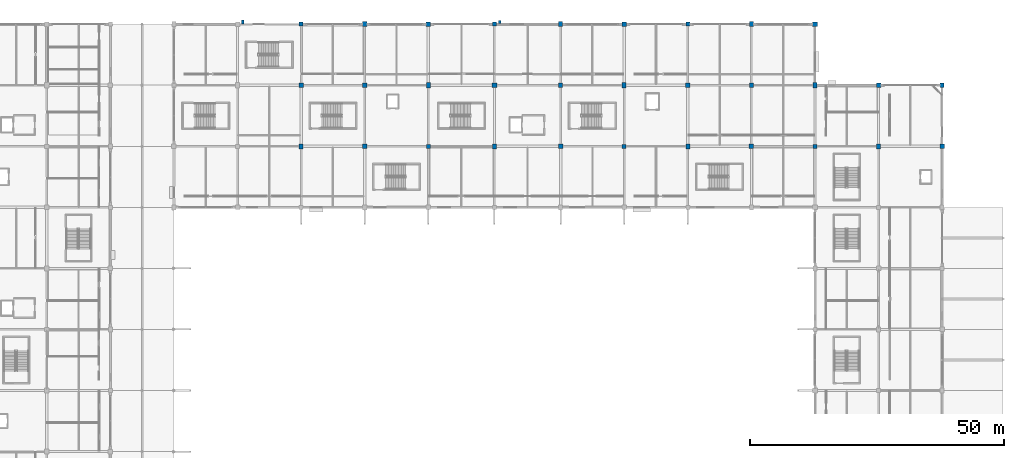
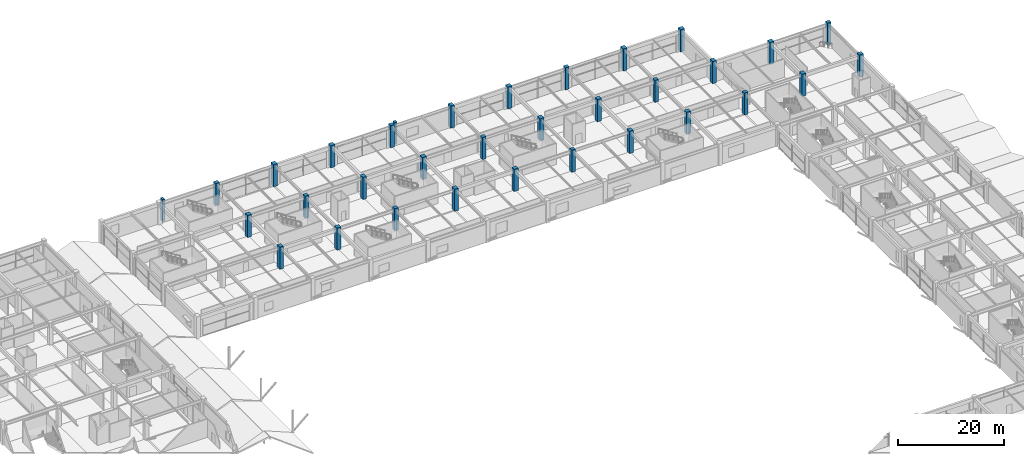
# One storey, part 8 of 116: 33 columns.
"""IFC4 building model written with IfcOpenShell, lengths in metres."""

import ifcopenshell
import ifcopenshell.guid

model = None  # the IFC model being written
_history = None  # IfcOwnerHistory: only IFC2X3 demands one
_inside = {}  # id of a spatial element -> (the spatial element, [elements in it])
_under = {}  # id of a project, library or spatial element -> (it, [spatial elements below it])
_declared = {}  # id of a project -> (the project, [libraries it declares])
_typed = {}  # id of a type object -> (the type object, [elements of that type])
_made_of = {}  # id of a material, layer set ... -> (it, [elements and type objects made of it])


def new_model(schema):
    """Start an empty IFC model of exactly this schema.

    Asked for "IFC4X3", IfcOpenShell would pick the latest addendum, in which some entities
    have other attributes; the version numbers below select the first issue.
    IFC2X3 requires an IfcOwnerHistory on every rooted entity: one is made here for all.
    """
    global model, _history
    if schema == "IFC4X3":
        model = ifcopenshell.file(schema_version=(4, 3, 0, 0))
    else:
        model = ifcopenshell.file(schema=schema)
    _inside.clear()
    _under.clear()
    _declared.clear()
    _typed.clear()
    _made_of.clear()
    _history = None
    if model.schema == "IFC2X3":
        org = make("IfcOrganization", Name="unknown")
        user = make(
            "IfcPersonAndOrganization",
            ThePerson=make("IfcPerson", FamilyName="unknown"),
            TheOrganization=org,
        )
        app = make(
            "IfcApplication",
            ApplicationDeveloper=org,
            Version="unknown",
            ApplicationFullName="unknown",
            ApplicationIdentifier="unknown",
        )
        _history = make(
            "IfcOwnerHistory",
            OwningUser=user,
            OwningApplication=app,
            ChangeAction="ADDED",
            CreationDate=0,
        )
    return model


def make(cls, **values):
    """One entity of the class cls with the attributes given. An attribute that is None is left unset."""
    return model.create_entity(
        cls, **{name: value for name, value in values.items() if value is not None}
    )


def rooted(cls, **values):
    """An entity with a GlobalId (a new one), such as an element, a storey or a relation."""
    return make(cls, GlobalId=ifcopenshell.guid.new(), OwnerHistory=_history, **values)


def si_unit(unit_type, name, prefix=None):
    """IfcSIUnit, for example si_unit("LENGTHUNIT", "METRE", prefix="MILLI")."""
    return make("IfcSIUnit", UnitType=unit_type, Prefix=prefix, Name=name)


def assignment(units):
    """IfcUnitAssignment: the units of a project."""
    return None if units is None else make("IfcUnitAssignment", Units=units)


def point(xyz):
    """IfcCartesianPoint."""
    return None if xyz is None else make("IfcCartesianPoint", Coordinates=xyz)


def direction(xyz):
    """IfcDirection."""
    return None if xyz is None else make("IfcDirection", DirectionRatios=xyz)


def frame(location, z_axis=None, x_axis=None):
    """IfcAxis2Placement3D, a coordinate frame: its origin and axes. An axis left out is left unset."""
    return make(
        "IfcAxis2Placement3D",
        Location=point(location),
        Axis=direction(z_axis),
        RefDirection=direction(x_axis),
    )


def frame_2d(location, x_axis=None):
    """IfcAxis2Placement2D, a coordinate frame in the plane: its origin and x axis."""
    return make(
        "IfcAxis2Placement2D", Location=point(location), RefDirection=direction(x_axis)
    )


def origin():
    """The frame at (0, 0, 0) with its axes left unset."""
    return frame((0.0, 0.0, 0.0))


def origin_2d():
    """The frame at (0, 0) in the plane with its x axis left unset."""
    return frame_2d((0.0, 0.0))


def place(relative_to, where):
    """IfcLocalPlacement: puts the frame where relative to a parent placement (None: the world)."""
    return make(
        "IfcLocalPlacement", PlacementRelTo=relative_to, RelativePlacement=where
    )


def context(
    kind, dimensions, precision=None, world=None, true_north=None, identifier=None
):
    """IfcGeometricRepresentationContext, for example the 3D "Model" context."""
    return make(
        "IfcGeometricRepresentationContext",
        ContextIdentifier=identifier,
        ContextType=kind,
        CoordinateSpaceDimension=dimensions,
        Precision=precision,
        WorldCoordinateSystem=world,
        TrueNorth=true_north,
    )


def subcontext(parent, identifier, kind, view, scale=None):
    """IfcGeometricRepresentationSubContext, for example "Body" below "Model"."""
    return make(
        "IfcGeometricRepresentationSubContext",
        ContextIdentifier=identifier,
        ContextType=kind,
        ParentContext=parent,
        TargetScale=scale,
        TargetView=view,
    )


def project(units=None, contexts=None):
    """IfcProject with its units and contexts."""
    return rooted(
        "IfcProject",
        Name="project",
        RepresentationContexts=contexts,
        UnitsInContext=assignment(units),
    )


def spatial(cls, under=None, at=None, **own):
    """A site, building, storey or space (cls), placed at a placement, below another one or the project."""
    s = rooted(cls, ObjectPlacement=at, **own)
    if under is not None:
        _under.setdefault(under.id(), (under, []))[1].append(s)
    return s


def profile(cls, at=None, kind="AREA", **sizes):
    """A parametric profile (cls). Its sizes go by their IFC names, for example OverallWidth=200.0."""
    return make(cls, ProfileType=kind, Position=at, **sizes)


def rectangle(**sizes):
    """IfcRectangleProfileDef."""
    return profile("IfcRectangleProfileDef", **sizes)


def extrude(swept, where, along, depth):
    """IfcExtrudedAreaSolid: the profile swept, set in the frame where, extruded along a direction by depth."""
    return make(
        "IfcExtrudedAreaSolid",
        SweptArea=swept,
        Position=where,
        ExtrudedDirection=direction(along),
        Depth=depth,
    )


def shape(context_of_items, identifier, shape_type, items):
    """IfcShapeRepresentation: the items that make up one representation, for example the "Body"."""
    return make(
        "IfcShapeRepresentation",
        ContextOfItems=context_of_items,
        RepresentationIdentifier=identifier,
        RepresentationType=shape_type,
        Items=items,
    )


def material(Name=None, Category=None):
    """IfcMaterial."""
    return make("IfcMaterial", Name=Name, Category=Category)


def material_profile(
    of_material, cross_section, Name=None, Category=None, Priority=None
):
    """IfcMaterialProfile: a cross section and its material."""
    return make(
        "IfcMaterialProfile",
        Name=Name,
        Material=of_material,
        Profile=cross_section,
        Priority=Priority,
        Category=Category,
    )


def profile_set(profiles, Name=None, composite=None):
    """IfcMaterialProfileSet."""
    return make(
        "IfcMaterialProfileSet",
        Name=Name,
        MaterialProfiles=profiles,
        CompositeProfile=composite,
    )


def made_of(thing, what):
    """Note that an element or type object is made of a material, layer set ...; save() writes the relation."""
    if what is not None:
        _made_of.setdefault(what.id(), (what, []))[1].append(thing)
    return thing


def type_object(cls, material=None, **own):
    """A type object (cls), such as IfcWallType, which elements share."""
    return made_of(rooted(cls, **own), material)


def element(
    cls,
    number,
    at=None,
    inside=None,
    cuts=None,
    type_object=None,
    material=None,
    context=None,
    identifier="Body",
    shape_type=None,
    held_by="IfcProductDefinitionShape",
    body=None,
    shapes=None,
    **own,
):
    """One element of the class cls, such as IfcWall. Its Tag is "e" and its number.

    at: its placement. inside: the storey or other place that contains it. cuts: it is an
    opening in that element (IfcRelVoidsElement). A single representation is given by context,
    identifier, shape_type and body (its items); several are given by shapes. held_by: the class
    of the entity that holds the representations. save() writes the other relations.
    """
    e = rooted(cls, Tag="e%d" % number, ObjectPlacement=at, **own)
    if body is not None:
        shapes = [shape(context, identifier, shape_type, body)]
    if shapes is not None:
        e.Representation = make(held_by, Representations=shapes)
    if inside is not None:
        _inside.setdefault(inside.id(), (inside, []))[1].append(e)
    if cuts is not None:
        rooted(
            "IfcRelVoidsElement", RelatingBuildingElement=cuts, RelatedOpeningElement=e
        )
    if type_object is not None:
        _typed.setdefault(type_object.id(), (type_object, []))[1].append(e)
    return made_of(e, material)


def aggregate(whole, parts):
    """IfcRelAggregates: a whole, such as a stair, and the parts it consists of."""
    return rooted("IfcRelAggregates", RelatingObject=whole, RelatedObjects=parts)


def save(model, path):
    """Write the relations noted so far, then the file.

    IfcRelAggregates (storeys below a building ...), IfcRelContainedInSpatialStructure (elements
    in a storey), IfcRelDefinesByType, IfcRelAssociatesMaterial and IfcRelDeclares: one each for
    every whole, place, type object, material and project.
    """
    for whole, parts in _under.values():
        aggregate(whole, parts)
    for where, things in _inside.values():
        rooted(
            "IfcRelContainedInSpatialStructure",
            RelatedElements=things,
            RelatingStructure=where,
        )
    for kind, things in _typed.values():
        rooted("IfcRelDefinesByType", RelatedObjects=things, RelatingType=kind)
    for what, things in _made_of.values():
        rooted("IfcRelAssociatesMaterial", RelatedObjects=things, RelatingMaterial=what)
    for by, libraries in _declared.values():
        rooted("IfcRelDeclares", RelatingContext=by, RelatedDefinitions=libraries)
    model.write(path)


model = new_model("IFC4")

# Units and contexts
model_context = context("Model", 3, precision=1e-05, world=origin(), true_north=direction((0.0, 1.0)))
body_context = subcontext(model_context, "Body", "Model", "MODEL_VIEW")
ifc_project = project(units=[si_unit("LENGTHUNIT", "METRE"), si_unit("AREAUNIT", "SQUARE_METRE"), si_unit("VOLUMEUNIT", "CUBIC_METRE"), si_unit("PLANEANGLEUNIT", "RADIAN"), si_unit("MASSUNIT", "GRAM", prefix="KILO")], contexts=[model_context])

# Site, building, storey
site_placement = place(None, origin())
site = spatial("IfcSite", under=ifc_project, at=site_placement, CompositionType="ELEMENT")
building_placement = place(site_placement, origin())
building = spatial("IfcBuilding", under=site, at=building_placement, Name="Kazenohara Klinker Stadium", CompositionType="ELEMENT")
storey_placement = place(building_placement, frame((0.0, 0.0, 10.199951171875)))
storey = spatial("IfcBuildingStorey", under=building, at=storey_placement, Name="L02", CompositionType="ELEMENT", Elevation=10.199951171875)

# Columns
ifc_material = material(Name="Concrete C40/50", Category="concrete")
ifc_material_profile_1 = material_profile(ifc_material, rectangle(XDim=0.800048828125, YDim=1.0, at=origin_2d()), Name="RC-COL-1000x800")
ifc_profile_set_1 = profile_set([ifc_material_profile_1], Name="Concrete C40/50")
column_type_1 = type_object("IfcColumnType", Name="COL-RC03", PredefinedType="COLUMN", material=ifc_profile_set_1)
for number, where, z_axis, x_axis, name in (
    (1, (74.0, 144.0, 0.0), (0.0, 0.0, 1.0), (1.0, 0.0, 0.0), "Column C03 L02 7/N"),
    (2, (86.5, 168.0, 0.0), (0.0, 0.0, 1.0), (1.0, 0.0, 0.0), "Column C03 L02 8/Q"),
    (3, (99.0, 156.0, 0.0), (0.0, 0.0, 1.0), (1.0, 0.0, 0.0), "Column C03 L02 9/P"),
    (4, (112.0, 144.0, 0.0), (0.0, 0.0, 1.0), (1.0, 0.0, 0.0), "Column C03 L02 10/N"),
    (5, (125.0, 168.0, 0.0), (0.0, 0.0, 1.0), (1.0, 0.0, 0.0), "Column C03 L02 11/Q"),
    (6, (137.5, 156.0, 0.0), (0.0, 0.0, 1.0), (1.0, 0.0, 0.0), "Column C03 L02 12/P"),
    (7, (150.0, 144.0, 0.0), (0.0, 0.0, 1.0), (1.0, 0.0, 0.0), "Column C03 L02 13/N"),
    (8, (162.5, 168.0, 0.0), (0.0, 0.0, 1.0), (1.0, 0.0, 0.0), "Column C03 L02 14/Q"),
    (9, (175.0, 156.0, 0.0), (0.0, 0.0, 1.0), (1.0, 0.0, 0.0), "Column C03 L02 15/P"),
    (10, (187.5, 144.0, 0.0), (0.0, 0.0, 1.0), (1.0, 0.0, 0.0), "Column C03 L02 16/N"),
):
    element("IfcColumn", number, at=place(storey_placement, frame(where, z_axis=z_axis, x_axis=x_axis)), inside=storey, type_object=column_type_1, Name=name, PredefinedType="COLUMN", context=body_context, shape_type="SweptSolid", body=[
        extrude(rectangle(XDim=0.800048828125, YDim=1.0, at=origin_2d()), origin(), (0.0, 0.0, 1.0), 5.10009765625),
    ])
ifc_material_profile_2 = material_profile(ifc_material, rectangle(XDim=0.89990234375, YDim=0.89990234375, at=origin_2d()), Name="RC-COL-900x900")
ifc_profile_set_2 = profile_set([ifc_material_profile_2], Name="Concrete C40/50")
column_type_2 = type_object("IfcColumnType", Name="COL-RC04", PredefinedType="COLUMN", material=ifc_profile_set_2)
for number, where, z_axis, x_axis, name in (
    (11, (74.0, 156.0, 0.0), (0.0, 0.0, 1.0), (1.0, 0.0, 0.0), "Column C04 L02 7/P"),
    (12, (86.5, 144.0, 0.0), (0.0, 0.0, 1.0), (1.0, 0.0, 0.0), "Column C04 L02 8/N"),
    (13, (99.0, 168.0, 0.0), (0.0, 0.0, 1.0), (1.0, 0.0, 0.0), "Column C04 L02 9/Q"),
    (14, (112.0, 156.0, 0.0), (0.0, 0.0, 1.0), (1.0, 0.0, 0.0), "Column C04 L02 10/P"),
    (15, (125.0, 144.0, 0.0), (0.0, 0.0, 1.0), (1.0, 0.0, 0.0), "Column C04 L02 11/N"),
    (16, (137.5, 168.0, 0.0), (0.0, 0.0, 1.0), (1.0, 0.0, 0.0), "Column C04 L02 12/Q"),
    (17, (150.0, 156.0, 0.0), (0.0, 0.0, 1.0), (1.0, 0.0, 0.0), "Column C04 L02 13/P"),
    (18, (162.5, 144.0, 0.0), (0.0, 0.0, 1.0), (1.0, 0.0, 0.0), "Column C04 L02 14/N"),
    (19, (175.0, 168.0, 0.0), (0.0, 0.0, 1.0), (1.0, 0.0, 0.0), "Column C04 L02 15/Q"),
    (20, (187.5, 156.0, 0.0), (0.0, 0.0, 1.0), (1.0, 0.0, 0.0), "Column C04 L02 16/P"),
    (21, (200.0, 144.0, 0.0), (0.0, 0.0, 1.0), (1.0, 0.0, 0.0), "Column C04 L02 17/N"),
):
    element("IfcColumn", number, at=place(storey_placement, frame(where, z_axis=z_axis, x_axis=x_axis)), inside=storey, type_object=column_type_2, Name=name, PredefinedType="COLUMN", context=body_context, shape_type="SweptSolid", body=[
        extrude(rectangle(XDim=0.89990234375, YDim=0.89990234375, at=origin_2d()), origin(), (0.0, 0.0, 1.0), 5.10009765625),
    ])
ifc_material_profile_3 = material_profile(ifc_material, rectangle(XDim=0.800048828125, YDim=0.800048828125, at=origin_2d()), Name="RC-COL-800x800")
ifc_profile_set_3 = profile_set([ifc_material_profile_3], Name="Concrete C40/50")
column_type_3 = type_object("IfcColumnType", Name="COL-RC05", PredefinedType="COLUMN", material=ifc_profile_set_3)
for number, where, z_axis, x_axis, name in (
    (22, (74.0, 168.0, 0.0), (0.0, 0.0, 1.0), (1.0, 0.0, 0.0), "Column C05 L02 7/Q"),
    (23, (86.5, 156.0, 0.0), (0.0, 0.0, 1.0), (1.0, 0.0, 0.0), "Column C05 L02 8/P"),
    (24, (99.0, 144.0, 0.0), (0.0, 0.0, 1.0), (1.0, 0.0, 0.0), "Column C05 L02 9/N"),
    (25, (112.0, 168.0, 0.0), (0.0, 0.0, 1.0), (1.0, 0.0, 0.0), "Column C05 L02 10/Q"),
    (26, (125.0, 156.0, 0.0), (0.0, 0.0, 1.0), (1.0, 0.0, 0.0), "Column C05 L02 11/P"),
    (27, (137.5, 144.0, 0.0), (0.0, 0.0, 1.0), (1.0, 0.0, 0.0), "Column C05 L02 12/N"),
    (28, (150.0, 168.0, 0.0), (0.0, 0.0, 1.0), (1.0, 0.0, 0.0), "Column C05 L02 13/Q"),
    (29, (162.5, 156.0, 0.0), (0.0, 0.0, 1.0), (1.0, 0.0, 0.0), "Column C05 L02 14/P"),
    (30, (175.0, 144.0, 0.0), (0.0, 0.0, 1.0), (1.0, 0.0, 0.0), "Column C05 L02 15/N"),
    (31, (200.0, 156.0, 0.0), (0.0, 0.0, 1.0), (1.0, 0.0, 0.0), "Column C05 L02 17/P"),
):
    element("IfcColumn", number, at=place(storey_placement, frame(where, z_axis=z_axis, x_axis=x_axis)), inside=storey, type_object=column_type_3, Name=name, PredefinedType="COLUMN", context=body_context, shape_type="SweptSolid", body=[
        extrude(rectangle(XDim=0.800048828125, YDim=0.800048828125, at=origin_2d()), origin(), (0.0, 0.0, 1.0), 5.10009765625),
    ])
ifc_material_profile_4 = material_profile(ifc_material, rectangle(XDim=0.449951171875, YDim=0.64990234375, at=origin_2d()), Name="RC-PILASTER-450x650")
ifc_profile_set_4 = profile_set([ifc_material_profile_4], Name="Concrete C40/50")
column_type_4 = type_object("IfcColumnType", Name="PIL-RC01", PredefinedType="PILASTER", material=ifc_profile_set_4)
column_1_placement = place(storey_placement, frame((113.050048828125, 168.449951171875, 0.0), z_axis=(0.0, 0.0, 1.0), x_axis=(1.0, 0.0, 0.0)))
element("IfcColumn", 32, at=column_1_placement, inside=storey, type_object=column_type_4, Name="Pleated facade pilaster PL01 L02 North-09", PredefinedType="PILASTER", context=body_context, shape_type="SweptSolid", body=[
    extrude(rectangle(XDim=0.449951171875, YDim=0.64990234375, at=origin_2d()), origin(), (0.0, 0.0, 1.0), 5.10009765625),
])
ifc_material_profile_5 = material_profile(ifc_material, rectangle(XDim=0.5, YDim=0.75, at=origin_2d()), Name="RC-PILASTER-500x750")
ifc_profile_set_5 = profile_set([ifc_material_profile_5], Name="Concrete C40/50")
column_type_5 = type_object("IfcColumnType", Name="PIL-RC02", PredefinedType="PILASTER", material=ifc_profile_set_5)
column_2_placement = place(storey_placement, frame((62.550048828125, 168.449951171875, 0.0), z_axis=(0.0, 0.0, 1.0), x_axis=(1.0, 0.0, 0.0)))
element("IfcColumn", 33, at=column_2_placement, inside=storey, type_object=column_type_5, Name="Pleated facade pilaster PL02 L02 North-05", PredefinedType="PILASTER", context=body_context, shape_type="SweptSolid", body=[
    extrude(rectangle(XDim=0.5, YDim=0.75, at=origin_2d()), origin(), (0.0, 0.0, 1.0), 5.10009765625),
])

save(model, "model.ifc")
